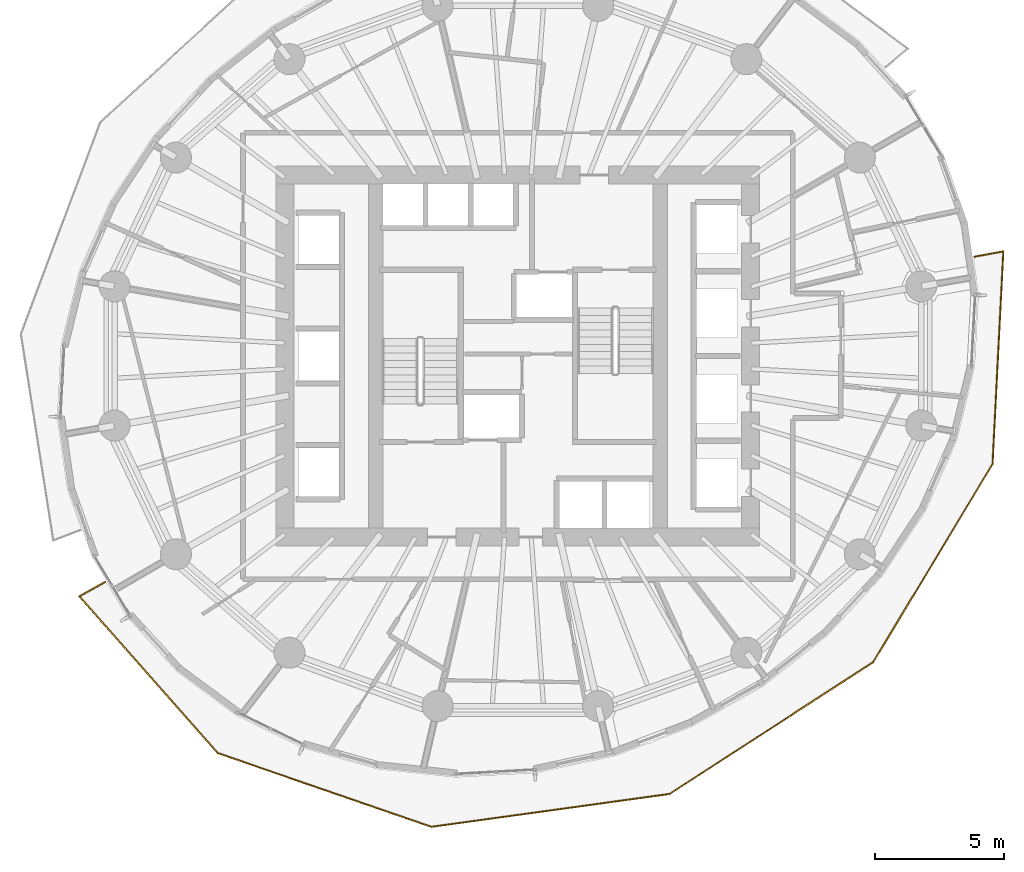
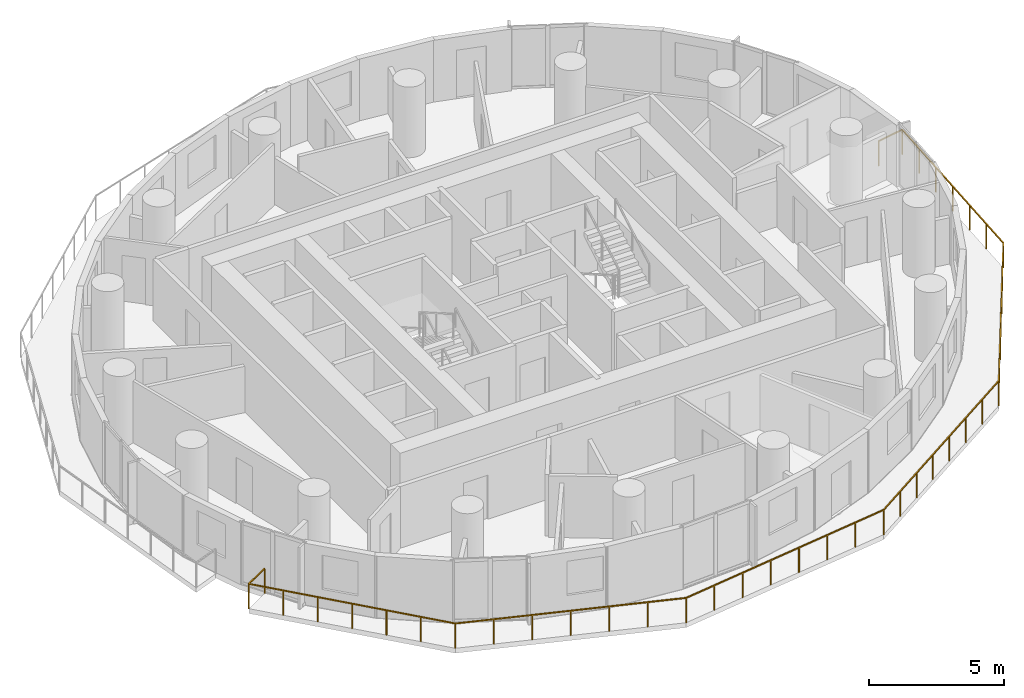
# One storey, part 12 of 15: 1 railing.
"""IFC4 building model written with IfcOpenShell, lengths in metres."""

from ifc_helpers import new_model, si_unit, direction, frame, origin, origin_2d, place, context, subcontext, project, spatial, rectangle, extrude, material, type_object, element, save


model = new_model("IFC4")

# Units and contexts
model_context = context("Model", 3, precision=1e-05, world=origin(), true_north=direction((0.0, 1.0)))
body_context = subcontext(model_context, "Body", "Model", "MODEL_VIEW")
ifc_project = project(units=[si_unit("LENGTHUNIT", "METRE"), si_unit("AREAUNIT", "SQUARE_METRE"), si_unit("VOLUMEUNIT", "CUBIC_METRE"), si_unit("PLANEANGLEUNIT", "RADIAN"), si_unit("MASSUNIT", "GRAM", prefix="KILO")], contexts=[model_context])

# Site, building, storey
site_placement = place(None, origin())
site = spatial("IfcSite", under=ifc_project, at=site_placement, CompositionType="ELEMENT")
building_placement = place(site_placement, origin())
building = spatial("IfcBuilding", under=site, at=building_placement, Name="Veldorim Arch Residences", CompositionType="ELEMENT")
storey_placement = place(building_placement, frame((0.0, 0.0, 109.280029296875)))
storey = spatial("IfcBuildingStorey", under=building, at=storey_placement, Name="L32", CompositionType="ELEMENT", Elevation=109.280029296875)

# Railing
ifc_material = material(Name="Aluminium", Category="aluminium")
railing_type = type_object("IfcRailingType", Name="Balcony & Terrace Laminated Glass Balustrade 1150", PredefinedType="BALUSTRADE", material=ifc_material)
railing_placement = place(storey_placement, frame((16.044677734375, 15.26708984375, 0.0)))
element("IfcRailing", 1, at=railing_placement, inside=storey, type_object=railing_type, Name="L32 crescent balcony safety balustrade B", PredefinedType="BALUSTRADE", context=body_context, shape_type="SweptSolid", body=[
    extrude(rectangle(XDim=0.048095703125, YDim=0.048095703125, at=origin_2d()), frame((0.0, 0.0, 1.1259765625), z_axis=(-0.8727918725, -0.488092560175, 0.0), x_axis=(0.488092560175, -0.8727918725, 0.0)), (0.0, 0.0, 1.0), 1.14990234375),
    extrude(rectangle(XDim=0.048095703125, YDim=0.048095703125, at=origin_2d()), frame((-1.003662109375, -0.561279296875, 1.1259765625), z_axis=(0.662402646485, -0.749148005356, 0.0), x_axis=(0.749148005356, 0.662402646485, 0.0)), (0.0, 0.0, 1.0), 8.091552734375),
    extrude(rectangle(XDim=0.048095703125, YDim=0.048095703125, at=origin_2d()), frame((4.356201171875, -6.623046875, 1.1259765625), z_axis=(0.945191617252, -0.326516166026, 0.0), x_axis=(0.326516166026, 0.945191617252, 0.0)), (0.0, 0.0, 1.0), 8.7333984375),
    extrude(rectangle(XDim=0.048095703125, YDim=0.048095703125, at=origin_2d()), frame((12.61083984375, -9.474609375, 1.1259765625), z_axis=(0.990610826647, 0.136712070167, 0.0), x_axis=(-0.136712070167, 0.990610826647, 0.0)), (0.0, 0.0, 1.0), 9.293212890625),
    extrude(rectangle(XDim=0.048095703125, YDim=0.048095703125, at=origin_2d()), frame((21.81689453125, -8.2041015625, 1.1259765625), z_axis=(0.839537351056, 0.543301975131, 0.0), x_axis=(-0.543301975131, 0.839537351056, 0.0)), (0.0, 0.0, 1.0), 9.384521484375),
    extrude(rectangle(XDim=0.048095703125, YDim=0.048095703125, at=origin_2d()), frame((29.695556640625, -3.10546875, 1.1259765625), z_axis=(0.516189857319, 0.856474185951, 0.0), x_axis=(-0.856474185951, 0.516189857319, 0.0)), (0.0, 0.0, 1.0), 8.938232421875),
    extrude(rectangle(XDim=0.048095703125, YDim=0.048095703125, at=origin_2d()), frame((34.309326171875, 4.5498046875, 1.1259765625), z_axis=(0.050669143885, 0.998715493951, 0.0), x_axis=(-0.998715493951, 0.050669143885, 0.0)), (0.0, 0.0, 1.0), 8.2392578125),
    extrude(rectangle(XDim=0.048095703125, YDim=0.048095703125, at=origin_2d()), frame((34.726806640625, 12.778564453125, 1.1259765625), z_axis=(-0.983583328079, -0.180454528139, 0.0), x_axis=(0.180454528139, -0.983583328079, 0.0)), (0.0, 0.0, 1.0), 1.14990234375),
    extrude(rectangle(XDim=0.0419921875, YDim=0.0419921875, at=origin_2d()), origin(), (0.0, 0.0, 1.0), 1.101806640625),
    extrude(rectangle(XDim=0.0419921875, YDim=0.0419921875, at=origin_2d()), frame((-1.003662109375, -0.561279296875, 0.0)), (0.0, 0.0, 1.0), 1.101806640625),
    extrude(rectangle(XDim=0.0419921875, YDim=0.0419921875, at=origin_2d()), frame((-0.1103515625, -1.571533203125, 0.0)), (0.0, 0.0, 1.0), 1.101806640625),
    extrude(rectangle(XDim=0.0419921875, YDim=0.0419921875, at=origin_2d()), frame((0.782958984375, -2.581787109375, 0.0)), (0.0, 0.0, 1.0), 1.101806640625),
    extrude(rectangle(XDim=0.0419921875, YDim=0.0419921875, at=origin_2d()), frame((1.67626953125, -3.59228515625, 0.0)), (0.0, 0.0, 1.0), 1.101806640625),
    extrude(rectangle(XDim=0.0419921875, YDim=0.0419921875, at=origin_2d()), frame((2.569580078125, -4.6025390625, 0.0)), (0.0, 0.0, 1.0), 1.101806640625),
    extrude(rectangle(XDim=0.0419921875, YDim=0.0419921875, at=origin_2d()), frame((3.462890625, -5.61279296875, 0.0)), (0.0, 0.0, 1.0), 1.101806640625),
    extrude(rectangle(XDim=0.0419921875, YDim=0.0419921875, at=origin_2d()), frame((4.356201171875, -6.623046875, 0.0)), (0.0, 0.0, 1.0), 1.101806640625),
    extrude(rectangle(XDim=0.0419921875, YDim=0.0419921875, at=origin_2d()), frame((5.73193359375, -7.098388671875, 0.0)), (0.0, 0.0, 1.0), 1.101806640625),
    extrude(rectangle(XDim=0.0419921875, YDim=0.0419921875, at=origin_2d()), frame((7.107666015625, -7.573486328125, 0.0)), (0.0, 0.0, 1.0), 1.101806640625),
    extrude(rectangle(XDim=0.0419921875, YDim=0.0419921875, at=origin_2d()), frame((8.4833984375, -8.048828125, 0.0)), (0.0, 0.0, 1.0), 1.101806640625),
    extrude(rectangle(XDim=0.0419921875, YDim=0.0419921875, at=origin_2d()), frame((9.859375, -8.524169921875, 0.0)), (0.0, 0.0, 1.0), 1.101806640625),
    extrude(rectangle(XDim=0.0419921875, YDim=0.0419921875, at=origin_2d()), frame((11.235107421875, -8.999267578125, 0.0)), (0.0, 0.0, 1.0), 1.101806640625),
    extrude(rectangle(XDim=0.0419921875, YDim=0.0419921875, at=origin_2d()), frame((12.61083984375, -9.474609375, 0.0)), (0.0, 0.0, 1.0), 1.101806640625),
    extrude(rectangle(XDim=0.0419921875, YDim=0.0419921875, at=origin_2d()), frame((13.926025390625, -9.293212890625, 0.0)), (0.0, 0.0, 1.0), 1.101806640625),
    extrude(rectangle(XDim=0.0419921875, YDim=0.0419921875, at=origin_2d()), frame((15.2412109375, -9.111572265625, 0.0)), (0.0, 0.0, 1.0), 1.101806640625),
    extrude(rectangle(XDim=0.0419921875, YDim=0.0419921875, at=origin_2d()), frame((16.556396484375, -8.93017578125, 0.0)), (0.0, 0.0, 1.0), 1.101806640625),
    extrude(rectangle(XDim=0.0419921875, YDim=0.0419921875, at=origin_2d()), frame((17.871337890625, -8.74853515625, 0.0)), (0.0, 0.0, 1.0), 1.101806640625),
    extrude(rectangle(XDim=0.0419921875, YDim=0.0419921875, at=origin_2d()), frame((19.1865234375, -8.567138671875, 0.0)), (0.0, 0.0, 1.0), 1.101806640625),
    extrude(rectangle(XDim=0.0419921875, YDim=0.0419921875, at=origin_2d()), frame((20.501708984375, -8.385498046875, 0.0)), (0.0, 0.0, 1.0), 1.101806640625),
    extrude(rectangle(XDim=0.0419921875, YDim=0.0419921875, at=origin_2d()), frame((21.81689453125, -8.2041015625, 0.0)), (0.0, 0.0, 1.0), 1.101806640625),
    extrude(rectangle(XDim=0.0419921875, YDim=0.0419921875, at=origin_2d()), frame((22.9423828125, -7.475830078125, 0.0)), (0.0, 0.0, 1.0), 1.101806640625),
    extrude(rectangle(XDim=0.0419921875, YDim=0.0419921875, at=origin_2d()), frame((24.06787109375, -6.747314453125, 0.0)), (0.0, 0.0, 1.0), 1.101806640625),
    extrude(rectangle(XDim=0.0419921875, YDim=0.0419921875, at=origin_2d()), frame((25.193359375, -6.01904296875, 0.0)), (0.0, 0.0, 1.0), 1.101806640625),
    extrude(rectangle(XDim=0.0419921875, YDim=0.0419921875, at=origin_2d()), frame((26.319091796875, -5.29052734375, 0.0)), (0.0, 0.0, 1.0), 1.101806640625),
    extrude(rectangle(XDim=0.0419921875, YDim=0.0419921875, at=origin_2d()), frame((27.444580078125, -4.562255859375, 0.0)), (0.0, 0.0, 1.0), 1.101806640625),
    extrude(rectangle(XDim=0.0419921875, YDim=0.0419921875, at=origin_2d()), frame((28.570068359375, -3.833740234375, 0.0)), (0.0, 0.0, 1.0), 1.101806640625),
    extrude(rectangle(XDim=0.0419921875, YDim=0.0419921875, at=origin_2d()), frame((29.695556640625, -3.10546875, 0.0)), (0.0, 0.0, 1.0), 1.101806640625),
    extrude(rectangle(XDim=0.0419921875, YDim=0.0419921875, at=origin_2d()), frame((30.464599609375, -1.82958984375, 0.0)), (0.0, 0.0, 1.0), 1.101806640625),
    extrude(rectangle(XDim=0.0419921875, YDim=0.0419921875, at=origin_2d()), frame((31.2333984375, -0.5537109375, 0.0)), (0.0, 0.0, 1.0), 1.101806640625),
    extrude(rectangle(XDim=0.0419921875, YDim=0.0419921875, at=origin_2d()), frame((32.00244140625, 0.72216796875, 0.0)), (0.0, 0.0, 1.0), 1.101806640625),
    extrude(rectangle(XDim=0.0419921875, YDim=0.0419921875, at=origin_2d()), frame((32.771484375, 1.998046875, 0.0)), (0.0, 0.0, 1.0), 1.101806640625),
    extrude(rectangle(XDim=0.0419921875, YDim=0.0419921875, at=origin_2d()), frame((33.540283203125, 3.27392578125, 0.0)), (0.0, 0.0, 1.0), 1.101806640625),
    extrude(rectangle(XDim=0.0419921875, YDim=0.0419921875, at=origin_2d()), frame((34.309326171875, 4.5498046875, 0.0)), (0.0, 0.0, 1.0), 1.101806640625),
    extrude(rectangle(XDim=0.0419921875, YDim=0.0419921875, at=origin_2d()), frame((34.37890625, 5.92138671875, 0.0)), (0.0, 0.0, 1.0), 1.101806640625),
    extrude(rectangle(XDim=0.0419921875, YDim=0.0419921875, at=origin_2d()), frame((34.448486328125, 7.292724609375, 0.0)), (0.0, 0.0, 1.0), 1.101806640625),
    extrude(rectangle(XDim=0.0419921875, YDim=0.0419921875, at=origin_2d()), frame((34.51806640625, 8.6640625, 0.0)), (0.0, 0.0, 1.0), 1.101806640625),
    extrude(rectangle(XDim=0.0419921875, YDim=0.0419921875, at=origin_2d()), frame((34.587646484375, 10.03564453125, 0.0)), (0.0, 0.0, 1.0), 1.101806640625),
    extrude(rectangle(XDim=0.0419921875, YDim=0.0419921875, at=origin_2d()), frame((34.6572265625, 11.4072265625, 0.0)), (0.0, 0.0, 1.0), 1.101806640625),
    extrude(rectangle(XDim=0.0419921875, YDim=0.0419921875, at=origin_2d()), frame((34.726806640625, 12.778564453125, 0.0)), (0.0, 0.0, 1.0), 1.101806640625),
    extrude(rectangle(XDim=0.0419921875, YDim=0.0419921875, at=origin_2d()), frame((33.595703125, 12.571044921875, 0.0)), (0.0, 0.0, 1.0), 1.101806640625),
])

save(model, "model.ifc")
